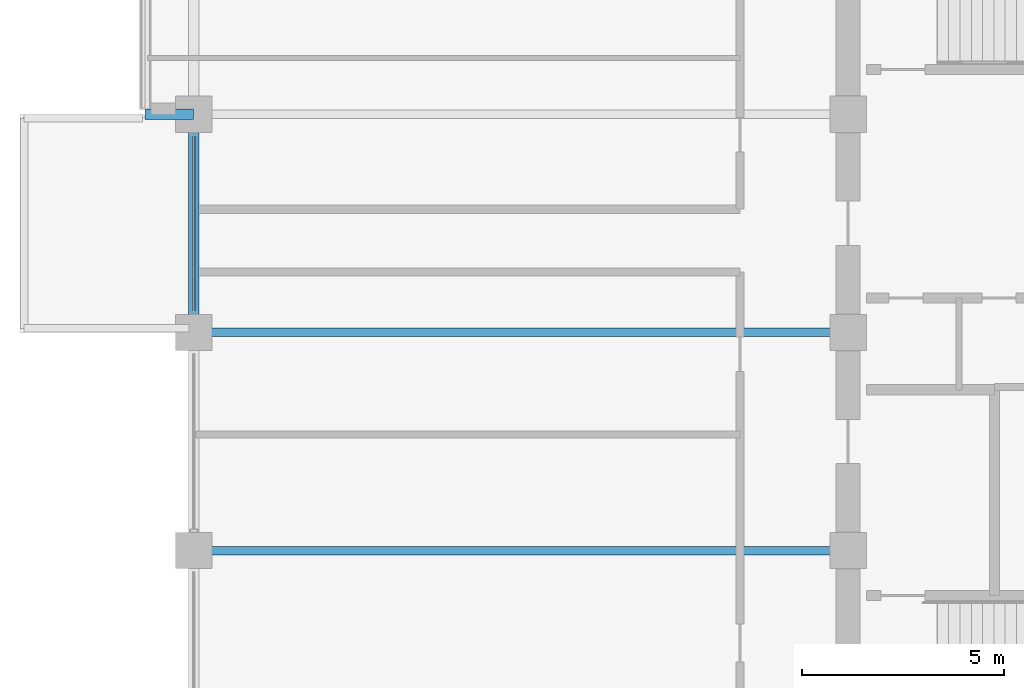
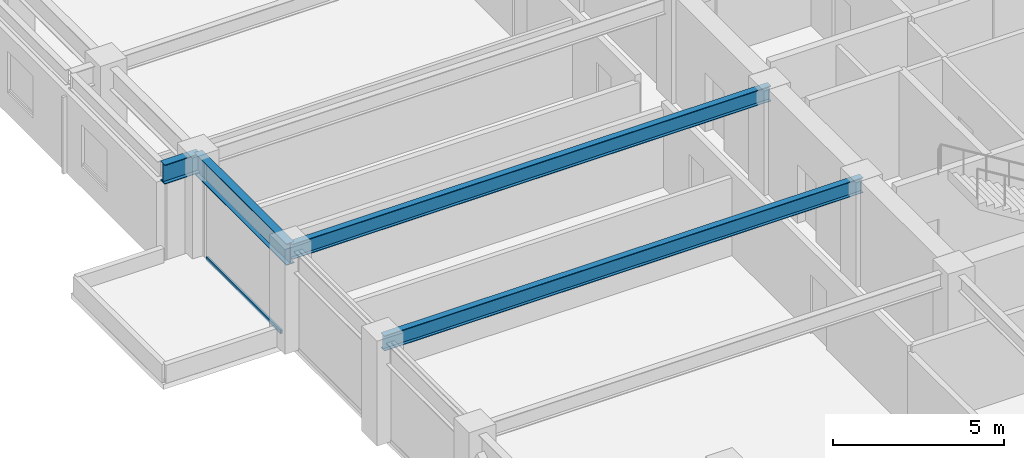
# One storey, part 6 of 28: 4 beams, 1 member, 1 element without a shape of its own.
"""IFC4 building model written with IfcOpenShell, lengths in metres."""

from ifc_helpers import new_model, si_unit, direction, frame, origin, origin_2d, place, context, subcontext, project, spatial, hollow_rectangle, i_section, extrude, material, layer, layer_set, material_profile, profile_set, type_object, element, aggregate, save


model = new_model("IFC4")

# Units and contexts
model_context = context("Model", 3, precision=1e-05, world=origin(), true_north=direction((0.0, 1.0)))
body_context = subcontext(model_context, "Body", "Model", "MODEL_VIEW")
ifc_project = project(units=[si_unit("LENGTHUNIT", "METRE"), si_unit("AREAUNIT", "SQUARE_METRE"), si_unit("VOLUMEUNIT", "CUBIC_METRE"), si_unit("PLANEANGLEUNIT", "RADIAN"), si_unit("MASSUNIT", "GRAM", prefix="KILO")], contexts=[model_context])

# Site, building, storey
site_placement = place(None, origin())
site = spatial("IfcSite", under=ifc_project, at=site_placement, CompositionType="ELEMENT")
building_placement = place(site_placement, origin())
building = spatial("IfcBuilding", under=site, at=building_placement, Name="Surkhivell Harbour Commons", CompositionType="ELEMENT")
storey_placement = place(building_placement, frame((0.0, 0.0, 182.25)))
storey = spatial("IfcBuildingStorey", under=building, at=storey_placement, Name="L47", CompositionType="ELEMENT", Elevation=182.25)

# Beams
ifc_material_1 = material(Name="Steel S460", Category="steel")
ifc_material_profile_1 = material_profile(ifc_material_1, i_section(OverallWidth=0.256103515625, OverallDepth=0.693115234375, WebThickness=0.014404296875, FlangeThickness=0.023681640625, at=origin_2d()), Name="UB686x254x170")
ifc_profile_set_1 = profile_set([ifc_material_profile_1], Name="Steel S460")
beam_type_1 = type_object("IfcBeamType", Name="BM-CNT-686", PredefinedType="BEAM", material=ifc_profile_set_1)
beam_1_placement = place(storey_placement, frame((-27.0, 5.39990234375, 3.223388671875), z_axis=(-1.0, 0.0, 0.0), x_axis=(0.0, -1.0, 0.0)))
element("IfcBeam", 1, at=beam_1_placement, inside=storey, type_object=beam_type_1, Name="L47 Box Cantilever Outrigger (-27.0,5.4)", PredefinedType="BEAM", context=body_context, shape_type="SweptSolid", body=[
    extrude(i_section(OverallWidth=0.256103515625, OverallDepth=0.693115234375, WebThickness=0.014404296875, FlangeThickness=0.023681640625, at=origin_2d()), origin(), (0.0, 0.0, 1.0), 1.199951171875),
])
ifc_material_2 = material(Name="Steel S355", Category="steel")
ifc_material_profile_2 = material_profile(ifc_material_2, i_section(OverallWidth=0.2119140625, OverallDepth=0.5439453125, WebThickness=0.0126953125, FlangeThickness=0.021240234375, at=origin_2d()), Name="UB533x210x122")
ifc_profile_set_2 = profile_set([ifc_material_profile_2], Name="Steel S355")
beam_type_2 = type_object("IfcBeamType", Name="BM-GRD-533A", PredefinedType="BEAM", material=ifc_profile_set_2)
for number, where, z_axis, x_axis, name in (
    (2, (-27.0, -5.39990234375, 3.298095703125), (1.0, 0.0, 0.0), (0.0, 1.0, 0.0), "L47 Floor Girder (-27.0,-5.4)"),
    (3, (-27.0, 0.0, 3.298095703125), (1.0, 0.0, 0.0), (0.0, 1.0, 0.0), "L47 Floor Girder (-27.0,0.0)"),
):
    element("IfcBeam", number, at=place(storey_placement, frame(where, z_axis=z_axis, x_axis=x_axis)), inside=storey, type_object=beam_type_2, Name=name, PredefinedType="BEAM", context=body_context, shape_type="SweptSolid", body=[
        extrude(i_section(OverallWidth=0.2119140625, OverallDepth=0.5439453125, WebThickness=0.0126953125, FlangeThickness=0.021240234375, at=origin_2d()), origin(), (0.0, 0.0, 1.0), 16.199951171875),
    ])
ifc_material_profile_3 = material_profile(ifc_material_2, i_section(OverallWidth=0.26806640625, OverallDepth=0.77001953125, WebThickness=0.015625, FlangeThickness=0.025390625, at=origin_2d()), Name="UB762x267x197")
ifc_profile_set_3 = profile_set([ifc_material_profile_3], Name="Steel S355")
beam_type_3 = type_object("IfcBeamType", Name="BM-SPN-762", PredefinedType="SPANDREL", material=ifc_profile_set_3)
beam_2_placement = place(storey_placement, frame((-27.0, 0.0, 3.18505859375), z_axis=(0.0, 1.0, 0.0), x_axis=(-1.0, 0.0, 0.0)))
element("IfcBeam", 4, at=beam_2_placement, inside=storey, type_object=beam_type_3, Name="L47 Tube Spandrel (-27.0,0.0)", PredefinedType="SPANDREL", context=body_context, shape_type="SweptSolid", body=[
    extrude(i_section(OverallWidth=0.26806640625, OverallDepth=0.77001953125, WebThickness=0.015625, FlangeThickness=0.025390625, at=origin_2d()), origin(), (0.0, 0.0, 1.0), 5.39990234375),
])

# Curtain wall, member
ifc_material_3 = material(Name="Anodised pale-metal aluminium and insulated glazing", Category="aluminium")
ifc_layer = layer(ifc_material_3, 0.18994140625)
ifc_layer_set = layer_set([ifc_layer], Name="Anodised pale-metal aluminium and insulated glazing")
curtain_wall_type = type_object("IfcCurtainWallType", Name="CW-SYS-Z3", PredefinedType="NOTDEFINED", material=ifc_layer_set)
curtain_wall_placement = place(storey_placement, origin())
curtain_wall = element("IfcCurtainWall", 5, at=curtain_wall_placement, inside=storey, type_object=curtain_wall_type, Name="L47 Curtain Wall CW-L47-E12R1S1", PredefinedType="NOTDEFINED")
ifc_material_4 = material(Name="Champagne anodised aluminium alloy 6063-T6", Category="aluminium")
ifc_material_profile_4 = material_profile(ifc_material_4, hollow_rectangle(XDim=0.070068359375, YDim=0.1298828125, WallThickness=0.00341796875, at=origin_2d()), Name="ALU-TRAN-70x130")
ifc_profile_set_4 = profile_set([ifc_material_profile_4], Name="Champagne anodised aluminium alloy 6063-T6")
member_type = type_object("IfcMemberType", Name="CWT-130", PredefinedType="USERDEFINED", material=ifc_profile_set_4)
member_placement = place(storey_placement, frame((-27.0, 0.527099609375, 0.06494140625), z_axis=(0.0, 1.0, 0.0), x_axis=(-1.0, 0.0, 0.0)))
member = element("IfcMember", 6, at=member_placement, type_object=member_type, Name="CW-Z3 transom 3.1", ObjectType="TRANSOM", PredefinedType="USERDEFINED", context=body_context, shape_type="SweptSolid", body=[
    extrude(hollow_rectangle(XDim=0.070068359375, YDim=0.1298828125, WallThickness=0.00341796875, at=origin_2d()), origin(), (0.0, 0.0, 1.0), 4.345947265625),
])
aggregate(curtain_wall, [member])

save(model, "model.ifc")
